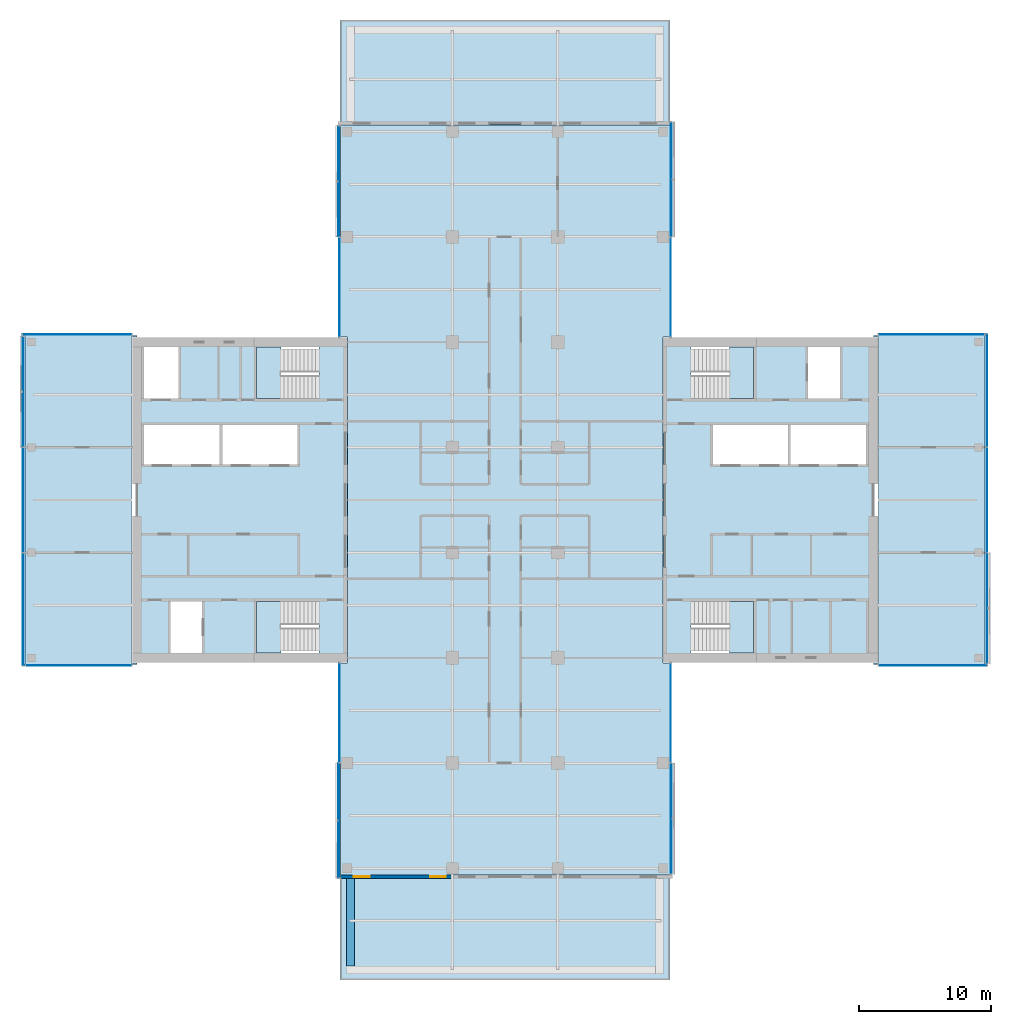
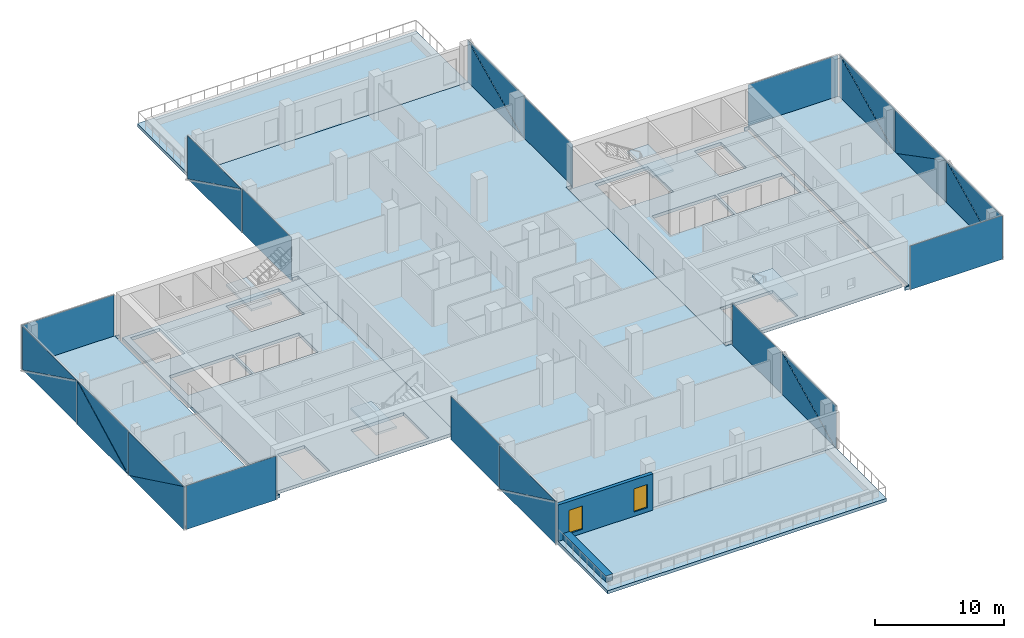
# One storey, part 14 of 24: 28 plates, 11 slabs, 2 walls, 2 windows, 2 openings, 18 elements without a shape of their own.
"""IFC4 building model written with IfcOpenShell, lengths in metres."""

from ifc_helpers import new_model, si_unit, direction, frame, frame_2d, origin, place, context, subcontext, project, spatial, polyline, rectangle, outline, extrude, material, layer, layer_set, type_object, element, fill, aggregate, save


model = new_model("IFC4")

# Units and contexts
model_context = context("Model", 3, precision=1e-05, world=origin(), true_north=direction((0.0, 1.0)))
body_context = subcontext(model_context, "Body", "Model", "MODEL_VIEW")
ifc_project = project(units=[si_unit("LENGTHUNIT", "METRE"), si_unit("AREAUNIT", "SQUARE_METRE"), si_unit("VOLUMEUNIT", "CUBIC_METRE"), si_unit("PLANEANGLEUNIT", "RADIAN"), si_unit("MASSUNIT", "GRAM", prefix="KILO")], contexts=[model_context])

# Site, building, storey
site_placement = place(None, origin())
site = spatial("IfcSite", under=ifc_project, at=site_placement, CompositionType="ELEMENT")
building_placement = place(site_placement, origin())
building = spatial("IfcBuilding", under=site, at=building_placement, Name="Crosswind Convention Tower", CompositionType="ELEMENT")
storey_placement = place(building_placement, frame((0.0, 0.0, 112.699951171875)))
storey = spatial("IfcBuildingStorey", under=building, at=storey_placement, Name="L22", CompositionType="ELEMENT", Elevation=112.699951171875)

# Slabs
ifc_material_1 = material(Name="Concrete C40/50", Category="concrete")
ifc_layer_1 = layer(ifc_material_1, 0.300048828125)
ifc_layer_set_1 = layer_set([ifc_layer_1], Name="Concrete C40/50")
slab_type_1 = type_object("IfcSlabType", Name="Composite floor slab 300", PredefinedType="FLOOR", material=ifc_layer_set_1)
slab_1_placement = place(storey_placement, frame((0.0, 0.0, -0.300048828125)))
element("IfcSlab", 1, at=slab_1_placement, inside=storey, type_object=slab_type_1, Name="Floor slab L22 part 1", PredefinedType="FLOOR", context=body_context, shape_type="SweptSolid", body=[
    extrude(outline(polyline([(97.0, 87.5), (89.0, 87.5), (88.5, 87.5), (88.5, 88.0), (88.5, 112.0), (88.5, 112.5), (89.0, 112.5), (97.0, 112.5), (97.0, 112.39990234375), (96.60009765625, 112.39990234375), (96.60009765625, 87.60009765625), (97.0, 87.60009765625), (97.0, 87.5)])), origin(), (0.0, 0.0, 1.0), 0.300048828125),
])
slab_2_placement = place(storey_placement, frame((0.0, 0.0, -0.300048828125)))
element("IfcSlab", 2, at=slab_2_placement, inside=storey, type_object=slab_type_1, Name="Floor slab L22 part 2", PredefinedType="FLOOR", context=body_context, shape_type="SweptSolid", body=[
    extrude(outline(polyline([(112.5, 87.60009765625), (113.0, 87.60009765625), (113.0, 112.39990234375), (112.5, 112.39990234375), (112.5, 128.0), (112.5, 128.5), (113.0, 128.5), (137.0, 128.5), (137.5, 128.5), (137.5, 128.0), (137.5, 112.39990234375), (137.0, 112.39990234375), (137.0, 87.60009765625), (137.5, 87.60009765625), (137.5, 72.0), (137.5, 71.5), (137.0, 71.5), (113.0, 71.5), (112.5, 71.5), (112.5, 72.0), (112.5, 87.60009765625)])), origin(), (0.0, 0.0, 1.0), 0.300048828125),
])
slab_3_placement = place(storey_placement, frame((0.0, 0.0, -0.300048828125)))
element("IfcSlab", 3, at=slab_3_placement, inside=storey, type_object=slab_type_1, Name="Floor slab L22 part 3", PredefinedType="FLOOR", context=body_context, shape_type="SweptSolid", body=[
    extrude(outline(polyline([(153.0, 112.5), (161.0, 112.5), (161.5, 112.5), (161.5, 112.0), (161.5, 88.0), (161.5, 87.5), (161.0, 87.5), (153.0, 87.5), (153.0, 87.60009765625), (153.39990234375, 87.60009765625), (153.39990234375, 112.39990234375), (153.0, 112.39990234375), (153.0, 112.5)])), origin(), (0.0, 0.0, 1.0), 0.300048828125),
])
ifc_layer_2 = layer(ifc_material_1, 0.300048828125)
ifc_layer_set_2 = layer_set([ifc_layer_2], Name="Concrete C40/50")
slab_type_2 = type_object("IfcSlabType", Name="Concrete core floor slab 300", PredefinedType="FLOOR", material=ifc_layer_set_2)
slab_4_placement = place(storey_placement, frame((0.0, 0.0, -0.300048828125)))
element("IfcSlab", 4, at=slab_4_placement, inside=storey, type_object=slab_type_2, Name="Core floor slab E L22", PredefinedType="FLOOR", context=body_context, shape_type="SweptSolid", body=[
    extrude(outline(polyline([(137.0, 88.0), (153.0, 88.0), (153.0, 112.0), (137.0, 112.0), (137.0, 88.0)]), holes=[polyline([(146.5, 102.699951171875), (146.5, 105.699951171875), (140.800048828125, 105.699951171875), (140.800048828125, 102.699951171875), (146.5, 102.699951171875)]), polyline([(152.449951171875, 102.699951171875), (152.449951171875, 105.699951171875), (146.699951171875, 105.699951171875), (146.699951171875, 102.699951171875), (152.449951171875, 102.699951171875)]), polyline([(150.449951171875, 107.699951171875), (150.449951171875, 111.64990234375), (148.050048828125, 111.64990234375), (148.050048828125, 107.699951171875), (150.449951171875, 107.699951171875)]), polyline([(143.89990234375, 107.699951171875), (143.89990234375, 111.64990234375), (139.14990234375, 111.64990234375), (139.14990234375, 107.699951171875), (143.89990234375, 107.699951171875)]), polyline([(143.89990234375, 88.35009765625), (143.89990234375, 92.300048828125), (139.14990234375, 92.300048828125), (139.14990234375, 88.35009765625), (143.89990234375, 88.35009765625)])]), origin(), (0.0, 0.0, 1.0), 0.300048828125),
])
slab_5_placement = place(storey_placement, frame((0.0, 0.0, -0.300048828125)))
element("IfcSlab", 5, at=slab_5_placement, inside=storey, type_object=slab_type_2, Name="Core floor slab W L22", PredefinedType="FLOOR", context=body_context, shape_type="SweptSolid", body=[
    extrude(outline(polyline([(97.0, 88.0), (113.0, 88.0), (113.0, 112.0), (97.0, 112.0), (97.0, 88.0)]), holes=[polyline([(109.199951171875, 102.699951171875), (109.199951171875, 105.699951171875), (103.5, 105.699951171875), (103.5, 102.699951171875), (109.199951171875, 102.699951171875)]), polyline([(103.300048828125, 102.699951171875), (103.300048828125, 105.699951171875), (97.550048828125, 105.699951171875), (97.550048828125, 102.699951171875), (103.300048828125, 102.699951171875)]), polyline([(101.949951171875, 88.35009765625), (101.949951171875, 92.300048828125), (99.550048828125, 92.300048828125), (99.550048828125, 88.35009765625), (101.949951171875, 88.35009765625)]), polyline([(100.14990234375, 107.699951171875), (100.14990234375, 111.64990234375), (97.550048828125, 111.64990234375), (97.550048828125, 107.699951171875), (100.14990234375, 107.699951171875)]), polyline([(110.85009765625, 88.35009765625), (110.85009765625, 92.300048828125), (106.10009765625, 92.300048828125), (106.10009765625, 88.35009765625), (110.85009765625, 88.35009765625)]), polyline([(110.85009765625, 107.699951171875), (110.85009765625, 111.64990234375), (106.10009765625, 111.64990234375), (106.10009765625, 107.699951171875), (110.85009765625, 107.699951171875)])]), origin(), (0.0, 0.0, 1.0), 0.300048828125),
])

# Stair, slab
stair_type = type_object("IfcStairType", Name="Exit stair 1800 wide, 2 flights of 11 risers", PredefinedType="HALF_TURN_STAIR", material=ifc_material_1)
stair_1_placement = place(storey_placement, origin())
stair_1 = element("IfcStair", 6, at=stair_1_placement, inside=storey, type_object=stair_type, Name="Exit stair ST1 L22", ObjectType="ST5", PredefinedType="HALF_TURN_STAIR")
ifc_layer_3 = layer(ifc_material_1, 0.199951171875)
ifc_layer_set_3 = layer_set([ifc_layer_3], Name="Concrete C40/50")
slab_type_3 = type_object("IfcSlabType", Name="Stair landing 200", PredefinedType="LANDING", material=ifc_layer_set_3)
slab_6_placement = place(storey_placement, frame((0.0, 0.0, 1.900146484375)))
slab_6 = element("IfcSlab", 7, at=slab_6_placement, type_object=slab_type_3, Name="ST1 landing 1", PredefinedType="LANDING", context=body_context, shape_type="SweptSolid", body=[
    extrude(outline(polyline([(143.89990234375, 107.699951171875), (143.89990234375, 111.64990234375), (142.050048828125, 111.64990234375), (142.050048828125, 107.699951171875), (143.89990234375, 107.699951171875)])), origin(), (0.0, 0.0, 1.0), 0.199951171875),
])
aggregate(stair_1, [slab_6])

stair_2_placement = place(storey_placement, origin())
stair_2 = element("IfcStair", 8, at=stair_2_placement, inside=storey, type_object=stair_type, Name="Exit stair ST2 L22", ObjectType="ST5", PredefinedType="HALF_TURN_STAIR")
slab_7_placement = place(storey_placement, frame((0.0, 0.0, 1.900146484375)))
slab_7 = element("IfcSlab", 9, at=slab_7_placement, type_object=slab_type_3, Name="ST2 landing 1", PredefinedType="LANDING", context=body_context, shape_type="SweptSolid", body=[
    extrude(outline(polyline([(143.89990234375, 88.35009765625), (143.89990234375, 92.300048828125), (142.050048828125, 92.300048828125), (142.050048828125, 88.35009765625), (143.89990234375, 88.35009765625)])), origin(), (0.0, 0.0, 1.0), 0.199951171875),
])
aggregate(stair_2, [slab_7])

stair_3_placement = place(storey_placement, origin())
stair_3 = element("IfcStair", 10, at=stair_3_placement, inside=storey, type_object=stair_type, Name="Exit stair ST3 L22", ObjectType="ST5", PredefinedType="HALF_TURN_STAIR")
slab_8_placement = place(storey_placement, frame((0.0, 0.0, 1.900146484375)))
slab_8 = element("IfcSlab", 11, at=slab_8_placement, type_object=slab_type_3, Name="ST3 landing 1", PredefinedType="LANDING", context=body_context, shape_type="SweptSolid", body=[
    extrude(outline(polyline([(107.949951171875, 88.35009765625), (107.949951171875, 92.300048828125), (106.10009765625, 92.300048828125), (106.10009765625, 88.35009765625), (107.949951171875, 88.35009765625)])), origin(), (0.0, 0.0, 1.0), 0.199951171875),
])
aggregate(stair_3, [slab_8])

stair_4_placement = place(storey_placement, origin())
stair_4 = element("IfcStair", 12, at=stair_4_placement, inside=storey, type_object=stair_type, Name="Exit stair ST4 L22", ObjectType="ST5", PredefinedType="HALF_TURN_STAIR")
slab_9_placement = place(storey_placement, frame((0.0, 0.0, 1.900146484375)))
slab_9 = element("IfcSlab", 13, at=slab_9_placement, type_object=slab_type_3, Name="ST4 landing 1", PredefinedType="LANDING", context=body_context, shape_type="SweptSolid", body=[
    extrude(outline(polyline([(107.949951171875, 107.699951171875), (107.949951171875, 111.64990234375), (106.10009765625, 111.64990234375), (106.10009765625, 107.699951171875), (107.949951171875, 107.699951171875)])), origin(), (0.0, 0.0, 1.0), 0.199951171875),
])
aggregate(stair_4, [slab_9])

# Slabs
ifc_layer_4 = layer(ifc_material_1, 0.300048828125)
ifc_layer_set_4 = layer_set([ifc_layer_4], Name="Concrete C40/50")
slab_type_4 = type_object("IfcSlabType", Name="TERRACE SLAB 300", PredefinedType="USERDEFINED", material=ifc_layer_set_4)
slab_10_placement = place(storey_placement, frame((0.0, 0.0, -0.300048828125)))
element("IfcSlab", 14, at=slab_10_placement, inside=storey, type_object=slab_type_4, Name="Terrace L22 S", ObjectType="TERRACE", PredefinedType="USERDEFINED", context=body_context, shape_type="SweptSolid", body=[
    extrude(outline(polyline([(137.0, 71.5), (137.5, 71.5), (137.5, 64.0), (137.5, 63.5), (137.0, 63.5), (113.0, 63.5), (112.5, 63.5), (112.5, 64.0), (112.5, 71.5), (113.0, 71.5), (137.0, 71.5)])), origin(), (0.0, 0.0, 1.0), 0.300048828125),
])
slab_11_placement = place(storey_placement, frame((0.0, 0.0, -0.300048828125)))
element("IfcSlab", 15, at=slab_11_placement, inside=storey, type_object=slab_type_4, Name="Terrace L22 N", ObjectType="TERRACE", PredefinedType="USERDEFINED", context=body_context, shape_type="SweptSolid", body=[
    extrude(outline(polyline([(113.0, 136.5), (137.0, 136.5), (137.5, 136.5), (137.5, 136.0), (137.5, 128.5), (137.0, 128.5), (113.0, 128.5), (112.5, 128.5), (112.5, 136.0), (112.5, 136.5), (113.0, 136.5)])), origin(), (0.0, 0.0, 1.0), 0.300048828125),
])

# Curtain wall, plate
ifc_material_2 = material(Name="Aluminium unitised curtain wall", Category="aluminium")
curtain_wall_type_1 = type_object("IfcCurtainWallType", Name="CORE END SLOT WALL 160", PredefinedType="USERDEFINED", material=ifc_material_2)
curtain_wall_1_placement = place(storey_placement, origin())
curtain_wall_1 = element("IfcCurtainWall", 16, at=curtain_wall_1_placement, inside=storey, type_object=curtain_wall_type_1, Name="CW6 L22 E-N.1-1 slot", ObjectType="UNITISED", PredefinedType="USERDEFINED")
ifc_material_3 = material(Name="Laminated insulating glass unit", Category="glass")
ifc_layer_5 = layer(ifc_material_3, 0.02587890625)
ifc_layer_set_5 = layer_set([ifc_layer_5], Name="TRIANGULAR GLASS PANEL 26")
plate_type_1 = type_object("IfcPlateType", Name="TRIANGULAR GLASS PANEL 26", PredefinedType="CURTAIN_PANEL", material=ifc_layer_set_5)
plate_1_placement = place(storey_placement, frame((161.449951171875, 112.60693359375, -0.300048828125), z_axis=(0.0, 0.999999915215, 0.000411788894), x_axis=(-1.0, 0.0, 0.0)))
plate_1 = element("IfcPlate", 17, at=plate_1_placement, type_object=plate_type_1, Name="CW6 panel 1.1", PredefinedType="CURTAIN_PANEL", context=body_context, shape_type="SweptSolid", body=[
    extrude(outline(polyline([(0.0, 0.0), (8.050048828125, 0.0), (8.050048828125, 4.150146836245408), (0.0, 4.150146836245408), (0.0, 0.0)])), origin(), (0.0, 0.0, -1.0), 0.02587890625),
])
aggregate(curtain_wall_1, [plate_1])

curtain_wall_2_placement = place(storey_placement, origin())
curtain_wall_2 = element("IfcCurtainWall", 18, at=curtain_wall_2_placement, inside=storey, type_object=curtain_wall_type_1, Name="CW6 L22 N-E.1-1 slot", ObjectType="UNITISED", PredefinedType="USERDEFINED")
plate_2_placement = place(storey_placement, frame((137.60693359375, 112.39990234375, -0.300048828125), z_axis=(0.999999915215, 0.0, 0.000411788894), x_axis=(0.0, 1.0, 0.0)))
plate_2 = element("IfcPlate", 19, at=plate_2_placement, type_object=plate_type_1, Name="CW6 panel 1.1", PredefinedType="CURTAIN_PANEL", context=body_context, shape_type="SweptSolid", body=[
    extrude(outline(polyline([(0.0, 0.0), (7.550048828125, 0.0), (7.550048828125, 4.1501468362454075), (0.0, 4.1501468362454075), (0.0, 0.0)])), origin(), (0.0, 0.0, -1.0), 0.02587890625),
])
aggregate(curtain_wall_2, [plate_2])

curtain_wall_3_placement = place(storey_placement, origin())
curtain_wall_3 = element("IfcCurtainWall", 20, at=curtain_wall_3_placement, inside=storey, type_object=curtain_wall_type_1, Name="CW6 L22 N-W.1-2 slot", ObjectType="UNITISED", PredefinedType="USERDEFINED")
plate_3_placement = place(storey_placement, frame((112.39306640625, 119.949951171875, -0.300048828125), z_axis=(-0.999999915215, 0.0, 0.000411788894), x_axis=(0.0, -1.0, 0.0)))
plate_3 = element("IfcPlate", 21, at=plate_3_placement, type_object=plate_type_1, Name="CW6 panel 1.1", PredefinedType="CURTAIN_PANEL", context=body_context, shape_type="SweptSolid", body=[
    extrude(outline(polyline([(0.0, 0.0), (7.550048828125, 0.0), (7.550048828125, 4.1501468362454075), (0.0, 4.1501468362454075), (0.0, 0.0)])), origin(), (0.0, 0.0, -1.0), 0.02587890625),
])
aggregate(curtain_wall_3, [plate_3])

curtain_wall_4_placement = place(storey_placement, origin())
curtain_wall_4 = element("IfcCurtainWall", 22, at=curtain_wall_4_placement, inside=storey, type_object=curtain_wall_type_1, Name="CW6 L22 W-N.2-1 slot", ObjectType="UNITISED", PredefinedType="USERDEFINED")
plate_4_placement = place(storey_placement, frame((96.60009765625, 112.60693359375, -0.300048828125), z_axis=(0.0, 0.999999915215, 0.000411788894), x_axis=(-1.0, 0.0, 0.0)))
plate_4 = element("IfcPlate", 23, at=plate_4_placement, type_object=plate_type_1, Name="CW6 panel 1.1", PredefinedType="CURTAIN_PANEL", context=body_context, shape_type="SweptSolid", body=[
    extrude(outline(polyline([(0.0, 0.0), (8.27001953125, 0.0), (8.27001953125, 4.1501468362454075), (0.0, 4.1501468362454075), (0.0, 0.0)])), origin(), (0.0, 0.0, -1.0), 0.02587890625),
])
aggregate(curtain_wall_4, [plate_4])

curtain_wall_5_placement = place(storey_placement, origin())
curtain_wall_5 = element("IfcCurtainWall", 24, at=curtain_wall_5_placement, inside=storey, type_object=curtain_wall_type_1, Name="CW6 L22 W-S.1-1 slot", ObjectType="UNITISED", PredefinedType="USERDEFINED")
plate_5_placement = place(storey_placement, frame((88.550048828125, 87.39306640625, -0.300048828125), z_axis=(0.0, -0.999999915215, 0.000411788894), x_axis=(1.0, 0.0, 0.0)))
plate_5 = element("IfcPlate", 25, at=plate_5_placement, type_object=plate_type_1, Name="CW6 panel 1.1", PredefinedType="CURTAIN_PANEL", context=body_context, shape_type="SweptSolid", body=[
    extrude(outline(polyline([(0.0, 0.0), (8.050048828125, 0.0), (8.050048828125, 4.150146836245408), (0.0, 4.150146836245408), (0.0, 0.0)])), origin(), (0.0, 0.0, -1.0), 0.02587890625),
])
aggregate(curtain_wall_5, [plate_5])

curtain_wall_6_placement = place(storey_placement, origin())
curtain_wall_6 = element("IfcCurtainWall", 26, at=curtain_wall_6_placement, inside=storey, type_object=curtain_wall_type_1, Name="CW6 L22 S-W.1-1 slot", ObjectType="UNITISED", PredefinedType="USERDEFINED")
plate_6_placement = place(storey_placement, frame((112.39306640625, 87.60009765625, -0.300048828125), z_axis=(-0.999999915215, 0.0, 0.000411788894), x_axis=(0.0, -1.0, 0.0)))
plate_6 = element("IfcPlate", 27, at=plate_6_placement, type_object=plate_type_1, Name="CW6 panel 1.1", PredefinedType="CURTAIN_PANEL", context=body_context, shape_type="SweptSolid", body=[
    extrude(outline(polyline([(0.0, 0.0), (7.550048828125, 0.0), (7.550048828125, 4.1501468362454075), (0.0, 4.1501468362454075), (0.0, 0.0)])), origin(), (0.0, 0.0, -1.0), 0.02587890625),
])
aggregate(curtain_wall_6, [plate_6])

curtain_wall_7_placement = place(storey_placement, origin())
curtain_wall_7 = element("IfcCurtainWall", 28, at=curtain_wall_7_placement, inside=storey, type_object=curtain_wall_type_1, Name="CW6 L22 S-E.1-2 slot", ObjectType="UNITISED", PredefinedType="USERDEFINED")
plate_7_placement = place(storey_placement, frame((137.60693359375, 80.050048828125, -0.300048828125), z_axis=(0.999999915215, 0.0, 0.000411788894), x_axis=(0.0, 1.0, 0.0)))
plate_7 = element("IfcPlate", 29, at=plate_7_placement, type_object=plate_type_1, Name="CW6 panel 1.1", PredefinedType="CURTAIN_PANEL", context=body_context, shape_type="SweptSolid", body=[
    extrude(outline(polyline([(0.0, 0.0), (7.550048828125, 0.0), (7.550048828125, 4.1501468362454075), (0.0, 4.1501468362454075), (0.0, 0.0)])), origin(), (0.0, 0.0, -1.0), 0.02587890625),
])
aggregate(curtain_wall_7, [plate_7])

curtain_wall_8_placement = place(storey_placement, origin())
curtain_wall_8 = element("IfcCurtainWall", 30, at=curtain_wall_8_placement, inside=storey, type_object=curtain_wall_type_1, Name="CW6 L22 E-S.2-1 slot", ObjectType="UNITISED", PredefinedType="USERDEFINED")
plate_8_placement = place(storey_placement, frame((153.39990234375, 87.39306640625, -0.300048828125), z_axis=(0.0, -0.999999915215, 0.000411788894), x_axis=(1.0, 0.0, 0.0)))
plate_8 = element("IfcPlate", 31, at=plate_8_placement, type_object=plate_type_1, Name="CW6 panel 1.1", PredefinedType="CURTAIN_PANEL", context=body_context, shape_type="SweptSolid", body=[
    extrude(outline(polyline([(0.0, 0.0), (8.27001953125, 0.0), (8.27001953125, 4.1501468362454075), (0.0, 4.1501468362454075), (0.0, 0.0)])), origin(), (0.0, 0.0, -1.0), 0.02587890625),
])
aggregate(curtain_wall_8, [plate_8])

# Curtain wall, plates
curtain_wall_type_2 = type_object("IfcCurtainWallType", Name="OFFICE UNITISED WALL 220", PredefinedType="USERDEFINED", material=ifc_material_2)
curtain_wall_9_placement = place(storey_placement, origin())
curtain_wall_9 = element("IfcCurtainWall", 32, at=curtain_wall_9_placement, inside=storey, type_object=curtain_wall_type_2, Name="CW3 L22 E-TIP 1", ObjectType="UNITISED", PredefinedType="USERDEFINED")
ifc_layer_6 = layer(ifc_material_3, 0.031982421875)
ifc_layer_set_6 = layer_set([ifc_layer_6], Name="TRIANGULAR GLASS PANEL 32")
plate_type_2 = type_object("IfcPlateType", Name="TRIANGULAR GLASS PANEL 32", PredefinedType="CURTAIN_PANEL", material=ifc_layer_set_6)
plate_9_placement = place(storey_placement, frame((161.642822265625, 95.965087890625, -0.300048828125), z_axis=(0.999999913924, 0.0, 0.000414913129), x_axis=(-0.000414913129, 0.0, 0.999999913924)))
plate_9 = element("IfcPlate", 33, at=plate_9_placement, type_object=plate_type_2, Name="CW3 panel 1.1", PredefinedType="CURTAIN_PANEL", context=body_context, shape_type="SweptSolid", body=[
    extrude(outline(polyline([(0.0, 0.0), (4.118896838915043, 0.0), (0.0, 8.372314453125), (0.0, 0.0)])), origin(), (0.0, 0.0, -1.0), 0.031982421875),
])
plate_10_placement = place(storey_placement, frame((161.67529296875, 87.570068359375, 3.830078125), z_axis=(0.99999993676, 0.0, 0.000355639833), x_axis=(0.000355639833, 0.0, -0.99999993676)))
plate_10 = element("IfcPlate", 34, at=plate_10_placement, type_object=plate_type_2, Name="CW3 panel 1.2", PredefinedType="CURTAIN_PANEL", context=body_context, shape_type="SweptSolid", body=[
    extrude(outline(polyline([(0.0, 0.0), (4.1188967448534015, 0.0), (0.0, 8.372314453125), (0.0, 0.0)])), origin(), (0.0, 0.0, -1.0), 0.031982421875),
])
plate_11_placement = place(storey_placement, frame((161.64111328125, 103.965087890625, 3.830078125), z_axis=(0.999999913913, 0.0, 0.000414937724), x_axis=(0.0, -1.0, 0.0)))
plate_11 = element("IfcPlate", 35, at=plate_11_placement, type_object=plate_type_2, Name="CW3 panel 2.1", PredefinedType="CURTAIN_PANEL", context=body_context, shape_type="SweptSolid", body=[
    extrude(outline(polyline([(0.0, 0.0), (7.908447265625, 0.0), (0.0, 4.118652698311059), (0.0, 0.0)])), origin(), (0.0, 0.0, -1.0), 0.031982421875),
])
plate_12_placement = place(storey_placement, frame((161.6767578125, 96.034912109375, -0.300048828125), z_axis=(0.99999993676, 0.0, 0.000355639833), x_axis=(0.0, 1.0, 0.0)))
plate_12 = element("IfcPlate", 36, at=plate_12_placement, type_object=plate_type_2, Name="CW3 panel 2.2", PredefinedType="CURTAIN_PANEL", context=body_context, shape_type="SweptSolid", body=[
    extrude(outline(polyline([(0.0, 0.0), (7.908447265625, 0.0), (0.0, 4.1188967448534015), (0.0, 0.0)])), origin(), (0.0, 0.0, -1.0), 0.031982421875),
])
plate_13_placement = place(storey_placement, frame((161.642822265625, 112.590087890625, -0.300048828125), z_axis=(0.999999913924, 0.0, 0.000414913129), x_axis=(-0.000414913129, 0.0, 0.999999913924)))
plate_13 = element("IfcPlate", 37, at=plate_13_placement, type_object=plate_type_2, Name="CW3 panel 3.1", PredefinedType="CURTAIN_PANEL", context=body_context, shape_type="SweptSolid", body=[
    extrude(outline(polyline([(0.0, 0.0), (4.118896838915043, 0.0), (0.0, 8.531982421874998), (0.0, 0.0)])), origin(), (0.0, 0.0, -1.0), 0.031982421875),
])
plate_14_placement = place(storey_placement, frame((161.67529296875, 104.034912109375, 3.830078125), z_axis=(0.99999993676, 0.0, 0.000355639833), x_axis=(0.000355639833, 0.0, -0.99999993676)))
plate_14 = element("IfcPlate", 38, at=plate_14_placement, type_object=plate_type_2, Name="CW3 panel 3.2", PredefinedType="CURTAIN_PANEL", context=body_context, shape_type="SweptSolid", body=[
    extrude(outline(polyline([(0.0, 0.0), (4.1188967448534015, 0.0), (0.0, 8.531982421875), (0.0, 0.0)])), origin(), (0.0, 0.0, -1.0), 0.031982421875),
])
aggregate(curtain_wall_9, [plate_9, plate_10, plate_11, plate_12, plate_13, plate_14])

curtain_wall_10_placement = place(storey_placement, origin())
curtain_wall_10 = element("IfcCurtainWall", 39, at=curtain_wall_10_placement, inside=storey, type_object=curtain_wall_type_2, Name="CW3 L22 N-E 1", ObjectType="UNITISED", PredefinedType="USERDEFINED")
plate_15_placement = place(storey_placement, frame((137.642822265625, 128.72998046875, -0.300048828125), z_axis=(0.999999913934, 0.0, 0.000414888537), x_axis=(-0.000414888537, 0.0, 0.999999913934)))
plate_15 = element("IfcPlate", 40, at=plate_15_placement, type_object=plate_type_2, Name="CW3 panel 1.1", PredefinedType="CURTAIN_PANEL", context=body_context, shape_type="SweptSolid", body=[
    extrude(outline(polyline([(0.0, 0.0), (4.119140979519029, 0.0), (0.0, 8.671630859374998), (0.0, 0.0)])), origin(), (0.0, 0.0, -1.0), 0.031982421875),
])
plate_16_placement = place(storey_placement, frame((137.67529296875, 120.034912109375, 3.830078125), z_axis=(0.99999993676, 0.0, 0.000355639833), x_axis=(0.000355639833, 0.0, -0.99999993676)))
plate_16 = element("IfcPlate", 41, at=plate_16_placement, type_object=plate_type_2, Name="CW3 panel 1.2", PredefinedType="CURTAIN_PANEL", context=body_context, shape_type="SweptSolid", body=[
    extrude(outline(polyline([(0.0, 0.0), (4.1188967448534015, 0.0), (0.0, 8.671874999999998), (0.0, 0.0)])), origin(), (0.0, 0.0, -1.0), 0.031982421875),
])
aggregate(curtain_wall_10, [plate_15, plate_16])

curtain_wall_11_placement = place(storey_placement, origin())
curtain_wall_11 = element("IfcCurtainWall", 42, at=curtain_wall_11_placement, inside=storey, type_object=curtain_wall_type_2, Name="CW3 L22 N-W 1", ObjectType="UNITISED", PredefinedType="USERDEFINED")
plate_17_placement = place(storey_placement, frame((112.357177734375, 120.034912109375, -0.300048828125), z_axis=(-0.999999913924, 0.0, 0.000414913129), x_axis=(0.000414913129, 0.0, 0.999999913924)))
plate_17 = element("IfcPlate", 43, at=plate_17_placement, type_object=plate_type_2, Name="CW3 panel 1.1", PredefinedType="CURTAIN_PANEL", context=body_context, shape_type="SweptSolid", body=[
    extrude(outline(polyline([(0.0, 0.0), (4.118896838915043, 0.0), (0.0, 8.372314453125), (0.0, 0.0)])), origin(), (0.0, 0.0, -1.0), 0.031982421875),
])
plate_18_placement = place(storey_placement, frame((112.32470703125, 128.429931640625, 3.830078125), z_axis=(-0.99999993676, 0.0, 0.000355639833), x_axis=(-0.000355639833, 0.0, -0.99999993676)))
plate_18 = element("IfcPlate", 44, at=plate_18_placement, type_object=plate_type_2, Name="CW3 panel 1.2", PredefinedType="CURTAIN_PANEL", context=body_context, shape_type="SweptSolid", body=[
    extrude(outline(polyline([(0.0, 0.0), (4.1188967448534015, 0.0), (0.0, 8.372314453125), (0.0, 0.0)])), origin(), (0.0, 0.0, -1.0), 0.031982421875),
])
aggregate(curtain_wall_11, [plate_17, plate_18])

curtain_wall_12_placement = place(storey_placement, origin())
curtain_wall_12 = element("IfcCurtainWall", 45, at=curtain_wall_12_placement, inside=storey, type_object=curtain_wall_type_2, Name="CW3 L22 W-TIP 1", ObjectType="UNITISED", PredefinedType="USERDEFINED")
plate_19_placement = place(storey_placement, frame((88.357177734375, 104.034912109375, -0.300048828125), z_axis=(-0.999999913924, 0.0, 0.000414913129), x_axis=(0.000414913129, 0.0, 0.999999913924)))
plate_19 = element("IfcPlate", 46, at=plate_19_placement, type_object=plate_type_2, Name="CW3 panel 1.1", PredefinedType="CURTAIN_PANEL", context=body_context, shape_type="SweptSolid", body=[
    extrude(outline(polyline([(0.0, 0.0), (4.118896838915043, 0.0), (0.0, 8.372314453125), (0.0, 0.0)])), origin(), (0.0, 0.0, -1.0), 0.031982421875),
])
plate_20_placement = place(storey_placement, frame((88.32470703125, 112.429931640625, 3.830078125), z_axis=(-0.99999993676, 0.0, 0.000355639833), x_axis=(-0.000355639833, 0.0, -0.99999993676)))
plate_20 = element("IfcPlate", 47, at=plate_20_placement, type_object=plate_type_2, Name="CW3 panel 1.2", PredefinedType="CURTAIN_PANEL", context=body_context, shape_type="SweptSolid", body=[
    extrude(outline(polyline([(0.0, 0.0), (4.1188967448534015, 0.0), (0.0, 8.372314453125), (0.0, 0.0)])), origin(), (0.0, 0.0, -1.0), 0.031982421875),
])
plate_21_placement = place(storey_placement, frame((88.35888671875, 96.034912109375, 3.830078125), z_axis=(-0.999999913913, 0.0, 0.000414937724), x_axis=(0.0, 1.0, 0.0)))
plate_21 = element("IfcPlate", 48, at=plate_21_placement, type_object=plate_type_2, Name="CW3 panel 2.1", PredefinedType="CURTAIN_PANEL", context=body_context, shape_type="SweptSolid", body=[
    extrude(outline(polyline([(0.0, 0.0), (7.908447265625, 0.0), (0.0, 4.118652698311059), (0.0, 0.0)])), origin(), (0.0, 0.0, -1.0), 0.031982421875),
])
plate_22_placement = place(storey_placement, frame((88.3232421875, 103.965087890625, -0.300048828125), z_axis=(-0.99999993676, 0.0, 0.000355639833), x_axis=(0.0, -1.0, 0.0)))
plate_22 = element("IfcPlate", 49, at=plate_22_placement, type_object=plate_type_2, Name="CW3 panel 2.2", PredefinedType="CURTAIN_PANEL", context=body_context, shape_type="SweptSolid", body=[
    extrude(outline(polyline([(0.0, 0.0), (7.908447265625, 0.0), (0.0, 4.1188967448534015), (0.0, 0.0)])), origin(), (0.0, 0.0, -1.0), 0.031982421875),
])
plate_23_placement = place(storey_placement, frame((88.357177734375, 87.409912109375, -0.300048828125), z_axis=(-0.999999913924, 0.0, 0.000414913129), x_axis=(0.000414913129, 0.0, 0.999999913924)))
plate_23 = element("IfcPlate", 50, at=plate_23_placement, type_object=plate_type_2, Name="CW3 panel 3.1", PredefinedType="CURTAIN_PANEL", context=body_context, shape_type="SweptSolid", body=[
    extrude(outline(polyline([(0.0, 0.0), (4.118896838915043, 0.0), (0.0, 8.531982421874998), (0.0, 0.0)])), origin(), (0.0, 0.0, -1.0), 0.031982421875),
])
plate_24_placement = place(storey_placement, frame((88.32470703125, 95.965087890625, 3.830078125), z_axis=(-0.99999993676, 0.0, 0.000355639833), x_axis=(-0.000355639833, 0.0, -0.99999993676)))
plate_24 = element("IfcPlate", 51, at=plate_24_placement, type_object=plate_type_2, Name="CW3 panel 3.2", PredefinedType="CURTAIN_PANEL", context=body_context, shape_type="SweptSolid", body=[
    extrude(outline(polyline([(0.0, 0.0), (4.1188967448534015, 0.0), (0.0, 8.531982421875), (0.0, 0.0)])), origin(), (0.0, 0.0, -1.0), 0.031982421875),
])
aggregate(curtain_wall_12, [plate_19, plate_20, plate_21, plate_22, plate_23, plate_24])

curtain_wall_13_placement = place(storey_placement, origin())
curtain_wall_13 = element("IfcCurtainWall", 52, at=curtain_wall_13_placement, inside=storey, type_object=curtain_wall_type_2, Name="CW3 L22 S-W 1", ObjectType="UNITISED", PredefinedType="USERDEFINED")
plate_25_placement = place(storey_placement, frame((112.357177734375, 71.27001953125, -0.300048828125), z_axis=(-0.999999913934, 0.0, 0.000414888537), x_axis=(0.000414888537, 0.0, 0.999999913934)))
plate_25 = element("IfcPlate", 53, at=plate_25_placement, type_object=plate_type_2, Name="CW3 panel 1.1", PredefinedType="CURTAIN_PANEL", context=body_context, shape_type="SweptSolid", body=[
    extrude(outline(polyline([(0.0, 0.0), (4.119140979519029, 0.0), (0.0, 8.671630859374998), (0.0, 0.0)])), origin(), (0.0, 0.0, -1.0), 0.031982421875),
])
plate_26_placement = place(storey_placement, frame((112.32470703125, 79.965087890625, 3.830078125), z_axis=(-0.99999993676, 0.0, 0.000355639833), x_axis=(-0.000355639833, 0.0, -0.99999993676)))
plate_26 = element("IfcPlate", 54, at=plate_26_placement, type_object=plate_type_2, Name="CW3 panel 1.2", PredefinedType="CURTAIN_PANEL", context=body_context, shape_type="SweptSolid", body=[
    extrude(outline(polyline([(0.0, 0.0), (4.1188967448534015, 0.0), (0.0, 8.671874999999998), (0.0, 0.0)])), origin(), (0.0, 0.0, -1.0), 0.031982421875),
])
aggregate(curtain_wall_13, [plate_25, plate_26])

curtain_wall_14_placement = place(storey_placement, origin())
curtain_wall_14 = element("IfcCurtainWall", 55, at=curtain_wall_14_placement, inside=storey, type_object=curtain_wall_type_2, Name="CW3 L22 S-E 1", ObjectType="UNITISED", PredefinedType="USERDEFINED")
plate_27_placement = place(storey_placement, frame((137.642822265625, 79.965087890625, -0.300048828125), z_axis=(0.999999913924, 0.0, 0.000414913129), x_axis=(-0.000414913129, 0.0, 0.999999913924)))
plate_27 = element("IfcPlate", 56, at=plate_27_placement, type_object=plate_type_2, Name="CW3 panel 1.1", PredefinedType="CURTAIN_PANEL", context=body_context, shape_type="SweptSolid", body=[
    extrude(outline(polyline([(0.0, 0.0), (4.118896838915043, 0.0), (0.0, 8.372314453125), (0.0, 0.0)])), origin(), (0.0, 0.0, -1.0), 0.031982421875),
])
plate_28_placement = place(storey_placement, frame((137.67529296875, 71.570068359375, 3.830078125), z_axis=(0.99999993676, 0.0, 0.000355639833), x_axis=(0.000355639833, 0.0, -0.99999993676)))
plate_28 = element("IfcPlate", 57, at=plate_28_placement, type_object=plate_type_2, Name="CW3 panel 1.2", PredefinedType="CURTAIN_PANEL", context=body_context, shape_type="SweptSolid", body=[
    extrude(outline(polyline([(0.0, 0.0), (4.1188967448534015, 0.0), (0.0, 8.372314453125), (0.0, 0.0)])), origin(), (0.0, 0.0, -1.0), 0.031982421875),
])
aggregate(curtain_wall_14, [plate_27, plate_28])

# Wall
ifc_material_4 = material(Name="Concrete C30/37", Category="concrete")
ifc_layer_7 = layer(ifc_material_4, 0.60009765625)
ifc_layer_set_7 = layer_set([ifc_layer_7], Name="Concrete C30/37")
wall_type_1 = type_object("IfcWallType", Name="PLANTER BOX WALL 600", PredefinedType="SOLIDWALL", material=ifc_layer_set_7)
wall_1_placement = place(storey_placement, frame((113.25, 64.550048828125, 0.0), z_axis=(0.0, 0.0, 1.0), x_axis=(0.0, 1.0, 0.0)))
element("IfcWall", 58, at=wall_1_placement, inside=storey, type_object=wall_type_1, Name="PLANTER L22 S 3", PredefinedType="SOLIDWALL", context=body_context, shape_type="SweptSolid", body=[
    extrude(rectangle(XDim=6.64990234375, YDim=0.60009765625, at=frame_2d((3.324951171875, 0.0))), origin(), (0.0, 0.0, 1.0), 0.60009765625),
])

# Wall, openings, windows
ifc_material_5 = material(Name="Terracotta rainscreen", Category="ceramic")
ifc_layer_8 = layer(ifc_material_5, 0.02001953125)
ifc_material_6 = material(Name="Mineral wool insulation", Category="insulation")
ifc_layer_9 = layer(ifc_material_6, 0.10009765625)
ifc_material_7 = material(Name="Concrete blockwork", Category="masonry")
ifc_layer_10 = layer(ifc_material_7, 0.179931640625)
ifc_layer_set_8 = layer_set([ifc_layer_8, ifc_layer_9, ifc_layer_10], Name="TERRACOTTA INFILL WALL 300")
wall_type_2 = type_object("IfcWallType", Name="TERRACOTTA INFILL WALL 300", PredefinedType="SOLIDWALL", material=ifc_layer_set_8)
wall_2_placement = place(storey_placement, frame((112.5, 71.35009765625, 0.0), z_axis=(0.0, 0.0, 1.0), x_axis=(1.0, 0.0, 0.0)))
wall_2 = element("IfcWall", 59, at=wall_2_placement, inside=storey, type_object=wall_type_2, Name="Terrace front wall L22 S-TIP.1-1", PredefinedType="SOLIDWALL", context=body_context, shape_type="SweptSolid", body=[
    extrude(rectangle(XDim=8.5, YDim=0.300048828125, at=frame_2d((4.25, 0.0))), origin(), (0.0, 0.0, 1.0), 3.446533203125),
])
opening_1_placement = place(wall_2_placement, frame((1.0, 0.0, 0.39990234375)))
opening_1 = element("IfcOpeningElement", 60, at=opening_1_placement, cuts=wall_2, Name="Opening W10", PredefinedType="OPENING", context=body_context, shape_type="SweptSolid", body=[
    extrude(rectangle(XDim=1.199951171875, YDim=2.199951171875, at=frame_2d((0.60009765625, 1.10009765625))), frame((0.0, 0.159912109375, 0.0), z_axis=(0.0, -1.0, 0.0), x_axis=(1.0, 0.0, 0.0)), (0.0, 0.0, 1.0), 0.320068359375),
])
opening_2_placement = place(wall_2_placement, frame((6.800048828125, 0.0, 0.39990234375)))
opening_2 = element("IfcOpeningElement", 61, at=opening_2_placement, cuts=wall_2, Name="Opening W10", PredefinedType="OPENING", context=body_context, shape_type="SweptSolid", body=[
    extrude(rectangle(XDim=1.199951171875, YDim=2.199951171875, at=frame_2d((0.60009765625, 1.10009765625))), frame((0.0, 0.159912109375, 0.0), z_axis=(0.0, -1.0, 0.0), x_axis=(1.0, 0.0, 0.0)), (0.0, 0.0, 1.0), 0.320068359375),
])
ifc_material_8 = material(Name="Aluminium window", Category="aluminium")
window_type = type_object("IfcWindowType", Name="TERRACE FRONT WINDOW 1200X2200", PartitioningType="SINGLE_PANEL", PredefinedType="WINDOW", material=ifc_material_8)
window_1_placement = place(opening_1_placement, origin())
window_1 = element("IfcWindow", 62, at=window_1_placement, inside=storey, type_object=window_type, Name="W10 terrace window L22 S-TIP.1-1.1", ObjectType="W10", OverallHeight=2.199951171875, OverallWidth=1.199951171875, PartitioningType="SINGLE_PANEL", PredefinedType="WINDOW", context=body_context, shape_type="SweptSolid", body=[
    extrude(rectangle(XDim=1.199951171875, YDim=2.199951171875, at=frame_2d((0.60009765625, 1.10009765625))), frame((0.0, 0.030029296875, 0.0), z_axis=(0.0, -1.0, 0.0), x_axis=(1.0, 0.0, 0.0)), (0.0, 0.0, 1.0), 0.06005859375),
])
fill(opening_1, window_1)
window_2_placement = place(opening_2_placement, origin())
window_2 = element("IfcWindow", 63, at=window_2_placement, inside=storey, type_object=window_type, Name="W10 terrace window L22 S-TIP.1-1.2", ObjectType="W10", OverallHeight=2.199951171875, OverallWidth=1.199951171875, PartitioningType="SINGLE_PANEL", PredefinedType="WINDOW", context=body_context, shape_type="SweptSolid", body=[
    extrude(rectangle(XDim=1.199951171875, YDim=2.199951171875, at=frame_2d((0.60009765625, 1.10009765625))), frame((0.0, 0.030029296875, 0.0), z_axis=(0.0, -1.0, 0.0), x_axis=(1.0, 0.0, 0.0)), (0.0, 0.0, 1.0), 0.06005859375),
])
fill(opening_2, window_2)

save(model, "model.ifc")
